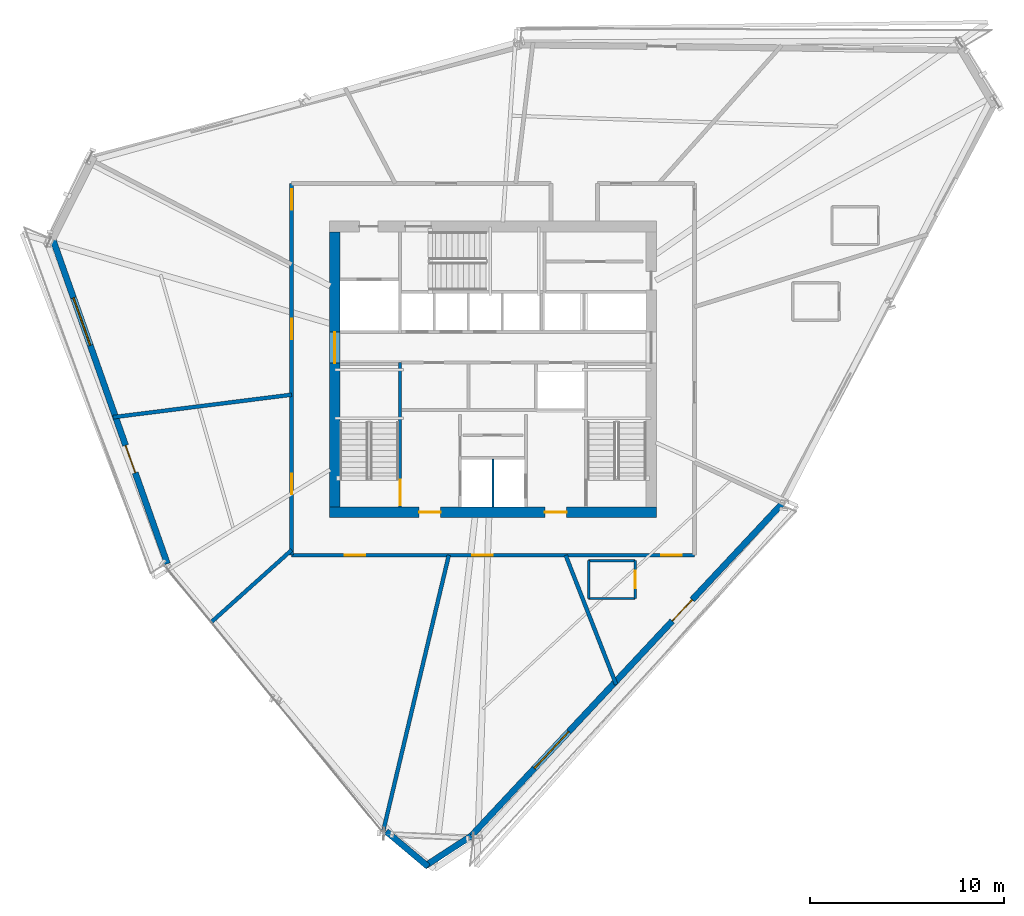
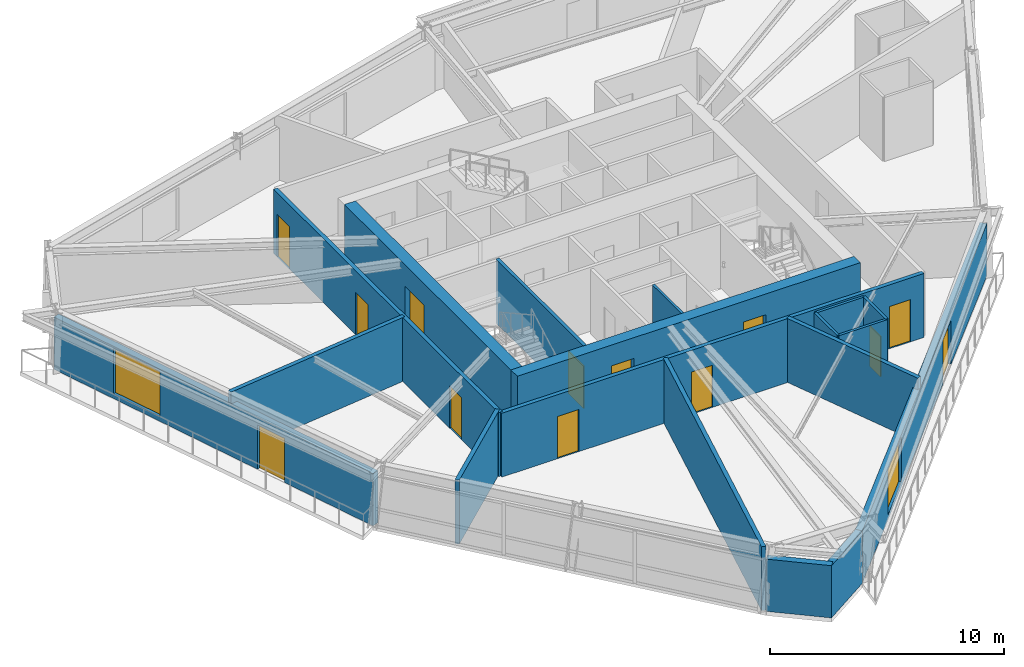
# One storey, part 9 of 15: 18 walls, 13 doors, 2 windows, 15 openings.
"""IFC4 building model written with IfcOpenShell, lengths in metres."""

import ifcopenshell
import ifcopenshell.guid

model = None  # the IFC model being written
_history = None  # IfcOwnerHistory: only IFC2X3 demands one
_inside = {}  # id of a spatial element -> (the spatial element, [elements in it])
_under = {}  # id of a project, library or spatial element -> (it, [spatial elements below it])
_declared = {}  # id of a project -> (the project, [libraries it declares])
_typed = {}  # id of a type object -> (the type object, [elements of that type])
_made_of = {}  # id of a material, layer set ... -> (it, [elements and type objects made of it])


def new_model(schema):
    """Start an empty IFC model of exactly this schema.

    Asked for "IFC4X3", IfcOpenShell would pick the latest addendum, in which some entities
    have other attributes; the version numbers below select the first issue.
    IFC2X3 requires an IfcOwnerHistory on every rooted entity: one is made here for all.
    """
    global model, _history
    if schema == "IFC4X3":
        model = ifcopenshell.file(schema_version=(4, 3, 0, 0))
    else:
        model = ifcopenshell.file(schema=schema)
    _inside.clear()
    _under.clear()
    _declared.clear()
    _typed.clear()
    _made_of.clear()
    _history = None
    if model.schema == "IFC2X3":
        org = make("IfcOrganization", Name="unknown")
        user = make(
            "IfcPersonAndOrganization",
            ThePerson=make("IfcPerson", FamilyName="unknown"),
            TheOrganization=org,
        )
        app = make(
            "IfcApplication",
            ApplicationDeveloper=org,
            Version="unknown",
            ApplicationFullName="unknown",
            ApplicationIdentifier="unknown",
        )
        _history = make(
            "IfcOwnerHistory",
            OwningUser=user,
            OwningApplication=app,
            ChangeAction="ADDED",
            CreationDate=0,
        )
    return model


def make(cls, **values):
    """One entity of the class cls with the attributes given. An attribute that is None is left unset."""
    return model.create_entity(
        cls, **{name: value for name, value in values.items() if value is not None}
    )


def rooted(cls, **values):
    """An entity with a GlobalId (a new one), such as an element, a storey or a relation."""
    return make(cls, GlobalId=ifcopenshell.guid.new(), OwnerHistory=_history, **values)


def si_unit(unit_type, name, prefix=None):
    """IfcSIUnit, for example si_unit("LENGTHUNIT", "METRE", prefix="MILLI")."""
    return make("IfcSIUnit", UnitType=unit_type, Prefix=prefix, Name=name)


def assignment(units):
    """IfcUnitAssignment: the units of a project."""
    return None if units is None else make("IfcUnitAssignment", Units=units)


def point(xyz):
    """IfcCartesianPoint."""
    return None if xyz is None else make("IfcCartesianPoint", Coordinates=xyz)


def direction(xyz):
    """IfcDirection."""
    return None if xyz is None else make("IfcDirection", DirectionRatios=xyz)


def frame(location, z_axis=None, x_axis=None):
    """IfcAxis2Placement3D, a coordinate frame: its origin and axes. An axis left out is left unset."""
    return make(
        "IfcAxis2Placement3D",
        Location=point(location),
        Axis=direction(z_axis),
        RefDirection=direction(x_axis),
    )


def frame_2d(location, x_axis=None):
    """IfcAxis2Placement2D, a coordinate frame in the plane: its origin and x axis."""
    return make(
        "IfcAxis2Placement2D", Location=point(location), RefDirection=direction(x_axis)
    )


def origin():
    """The frame at (0, 0, 0) with its axes left unset."""
    return frame((0.0, 0.0, 0.0))


def place(relative_to, where):
    """IfcLocalPlacement: puts the frame where relative to a parent placement (None: the world)."""
    return make(
        "IfcLocalPlacement", PlacementRelTo=relative_to, RelativePlacement=where
    )


def context(
    kind, dimensions, precision=None, world=None, true_north=None, identifier=None
):
    """IfcGeometricRepresentationContext, for example the 3D "Model" context."""
    return make(
        "IfcGeometricRepresentationContext",
        ContextIdentifier=identifier,
        ContextType=kind,
        CoordinateSpaceDimension=dimensions,
        Precision=precision,
        WorldCoordinateSystem=world,
        TrueNorth=true_north,
    )


def subcontext(parent, identifier, kind, view, scale=None):
    """IfcGeometricRepresentationSubContext, for example "Body" below "Model"."""
    return make(
        "IfcGeometricRepresentationSubContext",
        ContextIdentifier=identifier,
        ContextType=kind,
        ParentContext=parent,
        TargetScale=scale,
        TargetView=view,
    )


def project(units=None, contexts=None):
    """IfcProject with its units and contexts."""
    return rooted(
        "IfcProject",
        Name="project",
        RepresentationContexts=contexts,
        UnitsInContext=assignment(units),
    )


def spatial(cls, under=None, at=None, **own):
    """A site, building, storey or space (cls), placed at a placement, below another one or the project."""
    s = rooted(cls, ObjectPlacement=at, **own)
    if under is not None:
        _under.setdefault(under.id(), (under, []))[1].append(s)
    return s


def profile(cls, at=None, kind="AREA", **sizes):
    """A parametric profile (cls). Its sizes go by their IFC names, for example OverallWidth=200.0."""
    return make(cls, ProfileType=kind, Position=at, **sizes)


def rectangle(**sizes):
    """IfcRectangleProfileDef."""
    return profile("IfcRectangleProfileDef", **sizes)


def extrude(swept, where, along, depth):
    """IfcExtrudedAreaSolid: the profile swept, set in the frame where, extruded along a direction by depth."""
    return make(
        "IfcExtrudedAreaSolid",
        SweptArea=swept,
        Position=where,
        ExtrudedDirection=direction(along),
        Depth=depth,
    )


def shape(context_of_items, identifier, shape_type, items):
    """IfcShapeRepresentation: the items that make up one representation, for example the "Body"."""
    return make(
        "IfcShapeRepresentation",
        ContextOfItems=context_of_items,
        RepresentationIdentifier=identifier,
        RepresentationType=shape_type,
        Items=items,
    )


def source(mapping_origin, context_of_items, identifier, shape_type, items):
    """IfcRepresentationMap: a shape defined once, which mapped items show again and again."""
    return make(
        "IfcRepresentationMap",
        MappingOrigin=mapping_origin,
        MappedRepresentation=shape(context_of_items, identifier, shape_type, items),
    )


def transform(
    local_origin,
    x_axis=None,
    y_axis=None,
    z_axis=None,
    scale=None,
    scale2=None,
    scale3=None,
    uniform=True,
):
    """IfcCartesianTransformationOperator3D, or its non-uniform kind. x_axis, y_axis, z_axis: its Axis1, 2, 3."""
    if uniform:
        return make(
            "IfcCartesianTransformationOperator3D",
            Axis1=direction(x_axis),
            Axis2=direction(y_axis),
            LocalOrigin=point(local_origin),
            Scale=scale,
            Axis3=direction(z_axis),
        )
    return make(
        "IfcCartesianTransformationOperator3DnonUniform",
        Axis1=direction(x_axis),
        Axis2=direction(y_axis),
        LocalOrigin=point(local_origin),
        Scale=scale,
        Axis3=direction(z_axis),
        Scale2=scale2,
        Scale3=scale3,
    )


def mapped(mapping_source, mapping_target):
    """IfcMappedItem: shows the shape of a source again, moved by a transform."""
    return make(
        "IfcMappedItem", MappingSource=mapping_source, MappingTarget=mapping_target
    )


def material(Name=None, Category=None):
    """IfcMaterial."""
    return make("IfcMaterial", Name=Name, Category=Category)


def layer(
    of_material, thickness, ventilated=None, Name=None, Category=None, Priority=None
):
    """IfcMaterialLayer: one layer of a wall or slab, of a material (None: an air gap)."""
    return make(
        "IfcMaterialLayer",
        Material=of_material,
        LayerThickness=thickness,
        IsVentilated=ventilated,
        Name=Name,
        Category=Category,
        Priority=Priority,
    )


def layer_set(layers, Name=None):
    """IfcMaterialLayerSet."""
    return make("IfcMaterialLayerSet", MaterialLayers=layers, LayerSetName=Name)


def made_of(thing, what):
    """Note that an element or type object is made of a material, layer set ...; save() writes the relation."""
    if what is not None:
        _made_of.setdefault(what.id(), (what, []))[1].append(thing)
    return thing


def type_object(cls, material=None, **own):
    """A type object (cls), such as IfcWallType, which elements share."""
    return made_of(rooted(cls, **own), material)


def type_shapes(of_type, sources):
    """Give a type object the sources (RepresentationMaps) that its elements show as mapped items."""
    of_type.RepresentationMaps = sources


def element(
    cls,
    number,
    at=None,
    inside=None,
    cuts=None,
    type_object=None,
    material=None,
    context=None,
    identifier="Body",
    shape_type=None,
    held_by="IfcProductDefinitionShape",
    body=None,
    shapes=None,
    **own,
):
    """One element of the class cls, such as IfcWall. Its Tag is "e" and its number.

    at: its placement. inside: the storey or other place that contains it. cuts: it is an
    opening in that element (IfcRelVoidsElement). A single representation is given by context,
    identifier, shape_type and body (its items); several are given by shapes. held_by: the class
    of the entity that holds the representations. save() writes the other relations.
    """
    e = rooted(cls, Tag="e%d" % number, ObjectPlacement=at, **own)
    if body is not None:
        shapes = [shape(context, identifier, shape_type, body)]
    if shapes is not None:
        e.Representation = make(held_by, Representations=shapes)
    if inside is not None:
        _inside.setdefault(inside.id(), (inside, []))[1].append(e)
    if cuts is not None:
        rooted(
            "IfcRelVoidsElement", RelatingBuildingElement=cuts, RelatedOpeningElement=e
        )
    if type_object is not None:
        _typed.setdefault(type_object.id(), (type_object, []))[1].append(e)
    return made_of(e, material)


def fill(opening, filler):
    """IfcRelFillsElement: the door or window that sits in an opening."""
    return rooted(
        "IfcRelFillsElement",
        RelatingOpeningElement=opening,
        RelatedBuildingElement=filler,
    )


def aggregate(whole, parts):
    """IfcRelAggregates: a whole, such as a stair, and the parts it consists of."""
    return rooted("IfcRelAggregates", RelatingObject=whole, RelatedObjects=parts)


def save(model, path):
    """Write the relations noted so far, then the file.

    IfcRelAggregates (storeys below a building ...), IfcRelContainedInSpatialStructure (elements
    in a storey), IfcRelDefinesByType, IfcRelAssociatesMaterial and IfcRelDeclares: one each for
    every whole, place, type object, material and project.
    """
    for whole, parts in _under.values():
        aggregate(whole, parts)
    for where, things in _inside.values():
        rooted(
            "IfcRelContainedInSpatialStructure",
            RelatedElements=things,
            RelatingStructure=where,
        )
    for kind, things in _typed.values():
        rooted("IfcRelDefinesByType", RelatedObjects=things, RelatingType=kind)
    for what, things in _made_of.values():
        rooted("IfcRelAssociatesMaterial", RelatedObjects=things, RelatingMaterial=what)
    for by, libraries in _declared.values():
        rooted("IfcRelDeclares", RelatingContext=by, RelatedDefinitions=libraries)
    model.write(path)


model = new_model("IFC4")

# Units and contexts
model_context = context("Model", 3, precision=1e-05, world=origin(), true_north=direction((0.0, 1.0)))
body_context = subcontext(model_context, "Body", "Model", "MODEL_VIEW")
ifc_project = project(units=[si_unit("LENGTHUNIT", "METRE"), si_unit("AREAUNIT", "SQUARE_METRE"), si_unit("VOLUMEUNIT", "CUBIC_METRE"), si_unit("PLANEANGLEUNIT", "RADIAN"), si_unit("MASSUNIT", "GRAM", prefix="KILO")], contexts=[model_context])

# Site, building, storey
site_placement = place(None, origin())
site = spatial("IfcSite", under=ifc_project, at=site_placement, CompositionType="ELEMENT")
building_placement = place(site_placement, origin())
building = spatial("IfcBuilding", under=site, at=building_placement, Name="Olszyna Solenne Hotel", CompositionType="ELEMENT")
storey_placement = place(building_placement, frame((0.0, 0.0, 160.800048828125)))
storey = spatial("IfcBuildingStorey", under=building, at=storey_placement, Name="L42", CompositionType="ELEMENT", Elevation=160.800048828125)

# Wall, openings, doors
ifc_material_1 = material(Name="Concrete C50/60", Category="concrete")
ifc_layer_1 = layer(ifc_material_1, 0.550048828125, Name="Concrete C50/60")
ifc_layer_set_1 = layer_set([ifc_layer_1], Name="Concrete C50/60")
wall_type_1 = type_object("IfcWallType", Name="WL-CR550", PredefinedType="SHEAR", material=ifc_layer_set_1)
wall_1_placement = place(storey_placement, frame((46.449951171875, 19.22509765625, 0.0), z_axis=(0.0, 0.0, 1.0), x_axis=(-1.0, 0.0, 0.0)))
wall_1 = element("IfcWall", 1, at=wall_1_placement, inside=storey, type_object=wall_type_1, Name="Core shear wall WL-CR550 CRW-L42-S", PredefinedType="SHEAR", context=body_context, shape_type="SweptSolid", body=[
    extrude(rectangle(XDim=16.89990234375, YDim=0.550048828125, at=frame_2d((8.449951171875, 0.0))), origin(), (0.0, 0.0, 1.0), 3.329833984375),
])
opening_1_placement = place(wall_1_placement, frame((4.64990234375, 0.0, 0.0)))
opening_1 = element("IfcOpeningElement", 2, at=opening_1_placement, cuts=wall_1, Name="Opening FL-L42-1", PredefinedType="OPENING", context=body_context, shape_type="SweptSolid", body=[
    extrude(rectangle(XDim=1.1201171875, YDim=2.25, at=frame_2d((0.56005859375, 1.125))), frame((0.0, 0.28515625, 0.0), z_axis=(0.0, -1.0, 0.0), x_axis=(1.0, 0.0, 0.0)), (0.0, 0.0, 1.0), 0.570068359375),
])
opening_2_placement = place(wall_1_placement, frame((11.14990234375, 0.0, 0.0)))
opening_2 = element("IfcOpeningElement", 3, at=opening_2_placement, cuts=wall_1, Name="Opening FL-L42-2", PredefinedType="OPENING", context=body_context, shape_type="SweptSolid", body=[
    extrude(rectangle(XDim=1.1201171875, YDim=2.25, at=frame_2d((0.56005859375, 1.125))), frame((0.0, 0.28515625, 0.0), z_axis=(0.0, -1.0, 0.0), x_axis=(1.0, 0.0, 0.0)), (0.0, 0.0, 1.0), 0.570068359375),
])
ifc_material_2 = material(Name="Steel S355J2", Category="steel")
door_type_1 = type_object("IfcDoorType", Name="DR-FL1", OperationType="NOTDEFINED", PredefinedType="DOOR", material=ifc_material_2)
shared_shape_1 = source(origin(), body_context, "Body", "SweptSolid", [
    extrude(rectangle(XDim=1.1201171875, YDim=2.25, at=frame_2d((0.56005859375, 1.125))), frame((0.0, 0.02490234375, 0.0), z_axis=(0.0, -1.0, 0.0), x_axis=(1.0, 0.0, 0.0)), (0.0, 0.0, 1.0), 0.050048828125),
])
type_shapes(door_type_1, [shared_shape_1])
door_1_placement = place(opening_1_placement, origin())
door_1 = element("IfcDoor", 4, at=door_1_placement, inside=storey, type_object=door_type_1, Name="Firefighting lift lobby smoke door FL-L42-1", OperationType="SINGLE_SWING_LEFT", OverallHeight=2.25, OverallWidth=1.1201171875, PredefinedType="DOOR", context=body_context, shape_type="MappedRepresentation", body=[
    mapped(shared_shape_1, transform((0.0, 0.0, 0.0), x_axis=(1.0, 0.0, 0.0), y_axis=(0.0, 1.0, 0.0), z_axis=(0.0, 0.0, 1.0), scale=1.0)),
])
fill(opening_1, door_1)
door_2_placement = place(opening_2_placement, origin())
door_2 = element("IfcDoor", 5, at=door_2_placement, inside=storey, type_object=door_type_1, Name="Firefighting lift lobby smoke door FL-L42-2", OperationType="SINGLE_SWING_RIGHT", OverallHeight=2.25, OverallWidth=1.1201171875, PredefinedType="DOOR", context=body_context, shape_type="MappedRepresentation", body=[
    mapped(shared_shape_1, transform((0.0, 0.0, 0.0), x_axis=(1.0, 0.0, 0.0), y_axis=(0.0, 1.0, 0.0), z_axis=(0.0, 0.0, 1.0), scale=1.0)),
])
fill(opening_2, door_2)

# Wall, opening, door
wall_2_placement = place(storey_placement, frame((29.824951171875, 19.5, 0.0), z_axis=(0.0, 0.0, 1.0), x_axis=(0.0, 1.0, 0.0)))
wall_2 = element("IfcWall", 6, at=wall_2_placement, inside=storey, type_object=wall_type_1, Name="Core shear wall WL-CR550 CRW-L42-W", PredefinedType="SHEAR", context=body_context, shape_type="SweptSolid", body=[
    extrude(rectangle(XDim=14.199951171875, YDim=0.550048828125, at=frame_2d((7.10009765625, 0.0))), origin(), (0.0, 0.0, 1.0), 3.329833984375),
])
opening_3_placement = place(wall_2_placement, frame((7.419921875, 0.0, 0.0)))
opening_3 = element("IfcOpeningElement", 7, at=opening_3_placement, cuts=wall_2, Name="Opening LHD-L42-W", PredefinedType="OPENING", context=body_context, shape_type="SweptSolid", body=[
    extrude(rectangle(XDim=1.60009765625, YDim=2.199951171875, at=frame_2d((0.800048828125, 1.10009765625))), frame((0.0, 0.28515625, 0.0), z_axis=(0.0, -1.0, 0.0), x_axis=(1.0, 0.0, 0.0)), (0.0, 0.0, 1.0), 0.570068359375),
])
ifc_material_3 = material(Name="Timber hardwood", Category="wood")
door_type_2 = type_object("IfcDoorType", Name="DR-CR1", OperationType="DOUBLE_DOOR_SINGLE_SWING", PredefinedType="DOOR", material=ifc_material_3)
shared_shape_2 = source(origin(), body_context, "Body", "SweptSolid", [
    extrude(rectangle(XDim=1.60009765625, YDim=2.199951171875, at=frame_2d((0.800048828125, 1.10009765625))), frame((0.0, 0.02490234375, 0.0), z_axis=(0.0, -1.0, 0.0), x_axis=(1.0, 0.0, 0.0)), (0.0, 0.0, 1.0), 0.050048828125),
])
type_shapes(door_type_2, [shared_shape_2])
door_3_placement = place(opening_3_placement, origin())
door_3 = element("IfcDoor", 8, at=door_3_placement, inside=storey, type_object=door_type_2, Name="Passenger lift lobby West fire door LHD-L42-W", OperationType="DOUBLE_DOOR_SINGLE_SWING", OverallHeight=2.199951171875, OverallWidth=1.60009765625, PredefinedType="DOOR", context=body_context, shape_type="MappedRepresentation", body=[
    mapped(shared_shape_2, transform((0.0, 0.0, 0.0), x_axis=(1.0, 0.0, 0.0), y_axis=(0.0, 1.0, 0.0), z_axis=(0.0, 0.0, 1.0), scale=1.0)),
])
fill(opening_3, door_3)

# Wall, openings, door, window
ifc_material_4 = material(Name="Precast concrete C45/55", Category="concrete")
ifc_layer_2 = layer(ifc_material_4, 0.320068359375, Name="Precast concrete C45/55")
ifc_layer_set_2 = layer_set([ifc_layer_2], Name="Precast concrete C45/55")
wall_type_2 = type_object("IfcWallType", Name="WL-EX320", PredefinedType="SOLIDWALL", material=ifc_layer_set_2)
wall_3_placement = place(storey_placement, frame((52.910400390625, 19.644775390625, 0.0), z_axis=(0.0, 0.0, 1.0), x_axis=(-0.683193045934, -0.730237811941, 0.0)))
wall_3 = element("IfcWall", 9, at=wall_3_placement, inside=storey, type_object=wall_type_2, Name="Exterior terracotta-precast frame wall WL-EX320 EW-L42-01", PredefinedType="SOLIDWALL", context=body_context, shape_type="SweptSolid", body=[
    extrude(rectangle(XDim=23.50341796875, YDim=0.320068359375, at=frame_2d((11.751708984375, 0.0))), origin(), (0.0, 0.0, 1.0), 2.721923828125),
])
opening_4_placement = place(wall_3_placement, frame((6.77099609375, 0.0, 0.0)))
opening_4 = element("IfcOpeningElement", 10, at=opening_4_placement, cuts=wall_3, Name="Opening LDG-L42-3", PredefinedType="OPENING", context=body_context, shape_type="SweptSolid", body=[
    extrude(rectangle(XDim=1.5, YDim=2.300048828125, at=frame_2d((0.75, 1.14990234375))), frame((0.0, 0.169921875, 0.0), z_axis=(0.0, -1.0, 0.0), x_axis=(1.0, 0.0, 0.0)), (0.0, 0.0, 1.0), 0.340087890625),
])
opening_5_placement = place(wall_3_placement, frame((16.093017578125, 0.0, 0.251953125)))
opening_5 = element("IfcOpeningElement", 11, at=opening_5_placement, cuts=wall_3, Name="Opening WN-L42-255", PredefinedType="OPENING", context=body_context, shape_type="SweptSolid", body=[
    extrude(rectangle(XDim=2.60009765625, YDim=2.35009765625, at=frame_2d((1.300048828125, 1.175048828125))), frame((0.0, 0.169921875, 0.0), z_axis=(0.0, -1.0, 0.0), x_axis=(1.0, 0.0, 0.0)), (0.0, 0.0, 1.0), 0.340087890625),
])
ifc_material_5 = material(Name="Anodised bronze aluminium", Category="aluminium")
door_type_3 = type_object("IfcDoorType", Name="DR-LG2", OperationType="DOUBLE_DOOR_SINGLE_SWING", PredefinedType="DOOR", material=ifc_material_5)
shared_shape_3 = source(origin(), body_context, "Body", "SweptSolid", [
    extrude(rectangle(XDim=1.5, YDim=2.300048828125, at=frame_2d((0.75, 1.14990234375))), frame((0.0, 0.02490234375, 0.0), z_axis=(0.0, -1.0, 0.0), x_axis=(1.0, 0.0, 0.0)), (0.0, 0.0, 1.0), 0.050048828125),
])
type_shapes(door_type_3, [shared_shape_3])
door_4_placement = place(opening_4_placement, origin())
door_4 = element("IfcDoor", 12, at=door_4_placement, inside=storey, type_object=door_type_3, Name="Exterior loggia balcony door DR-LG2 LDG-L42-3", OperationType="DOUBLE_DOOR_SINGLE_SWING", OverallHeight=2.300048828125, OverallWidth=1.5, PredefinedType="DOOR", context=body_context, shape_type="MappedRepresentation", body=[
    mapped(shared_shape_3, transform((0.0, 0.0, 0.0), x_axis=(1.0, 0.0, 0.0), y_axis=(0.0, 1.0, 0.0), z_axis=(0.0, 0.0, 1.0), scale=1.0)),
])
fill(opening_4, door_4)
ifc_material_6 = material(Name="Low-E triple glazing", Category="glass")
window_type = type_object("IfcWindowType", Name="WN-ST1", PartitioningType="SINGLE_PANEL", PredefinedType="WINDOW", material=ifc_material_6)
shared_shape_4 = source(origin(), body_context, "Body", "SweptSolid", [
    extrude(rectangle(XDim=2.60009765625, YDim=2.35009765625, at=frame_2d((1.300048828125, 1.175048828125))), frame((0.0, 0.030029296875, 0.0), z_axis=(0.0, -1.0, 0.0), x_axis=(1.0, 0.0, 0.0)), (0.0, 0.0, 1.0), 0.06005859375),
])
type_shapes(window_type, [shared_shape_4])
window_1_placement = place(opening_5_placement, origin())
window_1 = element("IfcWindow", 13, at=window_1_placement, inside=storey, type_object=window_type, Name="Loggia room window WN-ST1 WN-L42-255", OverallHeight=2.35009765625, OverallWidth=2.60009765625, PartitioningType="SINGLE_PANEL", PredefinedType="WINDOW", context=body_context, shape_type="MappedRepresentation", body=[
    mapped(shared_shape_4, transform((0.0, 0.0, 0.0), x_axis=(1.0, 0.0, 0.0), y_axis=(0.0, 1.0, 0.0), z_axis=(0.0, 0.0, 1.0), scale=1.0)),
])
fill(opening_5, window_1)

# Walls
wall_4_placement = place(storey_placement, frame((36.8828125, 2.506591796875, 0.0), z_axis=(0.0, 0.0, 1.0), x_axis=(-0.838789143282, -0.544456401479, 0.0)))
element("IfcWall", 14, at=wall_4_placement, inside=storey, type_object=wall_type_2, Name="Exterior terracotta-precast frame wall WL-EX320 EW-L42-02", PredefinedType="SOLIDWALL", context=body_context, shape_type="SweptSolid", body=[
    extrude(rectangle(XDim=2.88818359375, YDim=0.320068359375, at=frame_2d((1.444091796875, 0.0))), origin(), (0.0, 0.0, 1.0), 2.721923828125),
])
wall_5_placement = place(storey_placement, frame((34.650146484375, 0.922607421875, 0.0), z_axis=(0.0, 0.0, 1.0), x_axis=(-0.765827147602, 0.643046483542, 0.0)))
element("IfcWall", 15, at=wall_5_placement, inside=storey, type_object=wall_type_2, Name="Exterior terracotta-precast frame wall WL-EX320 EW-L42-03", PredefinedType="SOLIDWALL", context=body_context, shape_type="SweptSolid", body=[
    extrude(rectangle(XDim=2.83154296875, YDim=0.320068359375, at=frame_2d((1.415771484375, 0.0))), origin(), (0.0, 0.0, 1.0), 2.721923828125),
])

# Wall, openings, door, window
wall_6_placement = place(storey_placement, frame((21.18408203125, 16.554931640625, 0.0), z_axis=(0.0, 0.0, 1.0), x_axis=(-0.332843624825, 0.942982036634, 0.0)))
wall_6 = element("IfcWall", 16, at=wall_6_placement, inside=storey, type_object=wall_type_2, Name="Exterior terracotta-precast frame wall WL-EX320 EW-L42-05", PredefinedType="SOLIDWALL", context=body_context, shape_type="SweptSolid", body=[
    extrude(rectangle(XDim=17.927490234375, YDim=0.320068359375, at=frame_2d((8.9638671875, 0.0))), origin(), (0.0, 0.0, 1.0), 2.721923828125),
])
opening_6_placement = place(wall_6_placement, frame((4.987060546875, 0.0, 0.0)))
opening_6 = element("IfcOpeningElement", 17, at=opening_6_placement, cuts=wall_6, Name="Opening LDG-L42-2", PredefinedType="OPENING", context=body_context, shape_type="SweptSolid", body=[
    extrude(rectangle(XDim=1.5, YDim=2.300048828125, at=frame_2d((0.75, 1.14990234375))), frame((0.0, 0.169921875, 0.0), z_axis=(0.0, -1.0, 0.0), x_axis=(1.0, 0.0, 0.0)), (0.0, 0.0, 1.0), 0.340087890625),
])
opening_7_placement = place(wall_6_placement, frame((11.966064453125, 0.0, 0.251953125)))
opening_7 = element("IfcOpeningElement", 18, at=opening_7_placement, cuts=wall_6, Name="Opening WN-L42-256", PredefinedType="OPENING", context=body_context, shape_type="SweptSolid", body=[
    extrude(rectangle(XDim=2.60009765625, YDim=2.35009765625, at=frame_2d((1.300048828125, 1.175048828125))), frame((0.0, 0.169921875, 0.0), z_axis=(0.0, -1.0, 0.0), x_axis=(1.0, 0.0, 0.0)), (0.0, 0.0, 1.0), 0.340087890625),
])
door_5_placement = place(opening_6_placement, origin())
door_5 = element("IfcDoor", 19, at=door_5_placement, inside=storey, type_object=door_type_3, Name="Exterior loggia balcony door DR-LG2 LDG-L42-2", OperationType="DOUBLE_DOOR_SINGLE_SWING", OverallHeight=2.300048828125, OverallWidth=1.5, PredefinedType="DOOR", context=body_context, shape_type="MappedRepresentation", body=[
    mapped(shared_shape_3, transform((0.0, 0.0, 0.0), x_axis=(1.0, 0.0, 0.0), y_axis=(0.0, 1.0, 0.0), z_axis=(0.0, 0.0, 1.0), scale=1.0)),
])
fill(opening_6, door_5)
window_2_placement = place(opening_7_placement, origin())
window_2 = element("IfcWindow", 20, at=window_2_placement, inside=storey, type_object=window_type, Name="Loggia room window WN-ST1 WN-L42-256", OverallHeight=2.35009765625, OverallWidth=2.60009765625, PartitioningType="SINGLE_PANEL", PredefinedType="WINDOW", context=body_context, shape_type="MappedRepresentation", body=[
    mapped(shared_shape_4, transform((0.0, 0.0, 0.0), x_axis=(1.0, 0.0, 0.0), y_axis=(0.0, 1.0, 0.0), z_axis=(0.0, 0.0, 1.0), scale=1.0)),
])
fill(opening_7, window_2)

# Wall
ifc_material_7 = material(Name="Acoustic gypsum partition", Category="gypsum")
ifc_layer_3 = layer(ifc_material_7, 0.125, Name="Acoustic gypsum partition")
ifc_layer_set_3 = layer_set([ifc_layer_3], Name="Acoustic gypsum partition")
wall_type_3 = type_object("IfcWallType", Name="WL-PT125", PredefinedType="PARTITIONING", material=ifc_layer_set_3)
wall_7_placement = place(storey_placement, frame((38.0, 19.5, 0.0), z_axis=(0.0, 0.0, 1.0), x_axis=(0.0, 1.0, 0.0)))
element("IfcWall", 21, at=wall_7_placement, inside=storey, type_object=wall_type_3, Name="Core shaft compartment wall CW-L42-FFM", PredefinedType="PARTITIONING", context=body_context, shape_type="SweptSolid", body=[
    extrude(rectangle(XDim=2.4599609375, YDim=0.125, at=frame_2d((1.22998046875, 0.0))), origin(), (0.0, 0.0, 1.0), 3.329833984375),
])

# Wall, opening, door
wall_8_placement = place(storey_placement, frame((45.340087890625, 14.76708984375, 0.0), z_axis=(0.0, 0.0, 1.0), x_axis=(0.0, 1.0, 0.0)))
wall_8 = element("IfcWall", 22, at=wall_8_placement, inside=storey, type_object=wall_type_3, Name="Interior acoustic partition WL-PT125 PW-L42-2374", PredefinedType="PARTITIONING", context=body_context, shape_type="SweptSolid", body=[
    extrude(rectangle(XDim=1.949951171875, YDim=0.125, at=frame_2d((0.97509765625, 0.0))), origin(), (0.0, 0.0, 1.0), 3.329833984375),
])
opening_8_placement = place(wall_8_placement, frame((0.52490234375, 0.0, 0.0)))
opening_8 = element("IfcOpeningElement", 23, at=opening_8_placement, cuts=wall_8, Name="Opening DR-L42-0570", PredefinedType="OPENING", context=body_context, shape_type="SweptSolid", body=[
    extrude(rectangle(XDim=0.89990234375, YDim=2.10009765625, at=frame_2d((0.449951171875, 1.050048828125))), frame((0.0, 0.072509765625, 0.0), z_axis=(0.0, -1.0, 0.0), x_axis=(1.0, 0.0, 0.0)), (0.0, 0.0, 1.0), 0.14501953125),
])
door_type_4 = type_object("IfcDoorType", Name="DR-WC1", OperationType="NOTDEFINED", PredefinedType="DOOR", material=ifc_material_3)
shared_shape_5 = source(origin(), body_context, "Body", "SweptSolid", [
    extrude(rectangle(XDim=0.89990234375, YDim=2.10009765625, at=frame_2d((0.449951171875, 1.050048828125))), frame((0.0, 0.02490234375, 0.0), z_axis=(0.0, -1.0, 0.0), x_axis=(1.0, 0.0, 0.0)), (0.0, 0.0, 1.0), 0.050048828125),
])
type_shapes(door_type_4, [shared_shape_5])
door_6_placement = place(opening_8_placement, origin())
door_6 = element("IfcDoor", 24, at=door_6_placement, inside=storey, type_object=door_type_4, Name="En-Suite Bathroom Door DR-L42-0570", OperationType="SINGLE_SWING_LEFT", OverallHeight=2.10009765625, OverallWidth=0.89990234375, PredefinedType="DOOR", context=body_context, shape_type="MappedRepresentation", body=[
    mapped(shared_shape_5, transform((0.0, 0.0, 0.0), x_axis=(1.0, 0.0, 0.0), y_axis=(0.0, 1.0, 0.0), z_axis=(0.0, 0.0, 1.0), scale=1.0)),
])
fill(opening_8, door_6)

# Walls
wall_9_placement = place(storey_placement, frame((45.340087890625, 16.717041015625, 0.0), z_axis=(0.0, 0.0, 1.0), x_axis=(-1.0, 0.0, 0.0)))
element("IfcWall", 25, at=wall_9_placement, inside=storey, type_object=wall_type_3, Name="Interior acoustic partition WL-PT125 PW-L42-2375", PredefinedType="PARTITIONING", context=body_context, shape_type="SweptSolid", body=[
    extrude(rectangle(XDim=2.400146484375, YDim=0.125, at=frame_2d((1.2001953125, 0.0))), origin(), (0.0, 0.0, 1.0), 3.329833984375),
])
wall_10_placement = place(storey_placement, frame((42.93994140625, 16.717041015625, 0.0), z_axis=(0.0, 0.0, 1.0), x_axis=(0.0, -1.0, 0.0)))
element("IfcWall", 26, at=wall_10_placement, inside=storey, type_object=wall_type_3, Name="Interior acoustic partition WL-PT125 PW-L42-2376", PredefinedType="PARTITIONING", context=body_context, shape_type="SweptSolid", body=[
    extrude(rectangle(XDim=1.949951171875, YDim=0.125, at=frame_2d((0.97509765625, 0.0))), origin(), (0.0, 0.0, 1.0), 3.329833984375),
])
wall_11_placement = place(storey_placement, frame((42.93994140625, 14.76708984375, 0.0), z_axis=(0.0, 0.0, 1.0), x_axis=(1.0, 0.0, 0.0)))
element("IfcWall", 27, at=wall_11_placement, inside=storey, type_object=wall_type_3, Name="Interior acoustic partition WL-PT125 PW-L42-2377", PredefinedType="PARTITIONING", context=body_context, shape_type="SweptSolid", body=[
    extrude(rectangle(XDim=2.400146484375, YDim=0.125, at=frame_2d((1.2001953125, 0.0))), origin(), (0.0, 0.0, 1.0), 3.329833984375),
])

# Wall, opening, door
ifc_layer_4 = layer(ifc_material_7, 0.159912109375, Name="Acoustic gypsum partition")
ifc_layer_set_4 = layer_set([ifc_layer_4], Name="Acoustic gypsum partition")
wall_type_4 = type_object("IfcWallType", Name="WL-PT160", PredefinedType="PARTITIONING", material=ifc_layer_set_4)
wall_12_placement = place(storey_placement, frame((33.199951171875, 19.5, 0.0), z_axis=(0.0, 0.0, 1.0), x_axis=(0.0, 1.0, 0.0)))
wall_12 = element("IfcWall", 28, at=wall_12_placement, inside=storey, type_object=wall_type_4, Name="Core shaft compartment wall CW-L42-ST1E", PredefinedType="PARTITIONING", context=body_context, shape_type="SweptSolid", body=[
    extrude(rectangle(XDim=7.4599609375, YDim=0.159912109375, at=frame_2d((3.72998046875, 0.0))), origin(), (0.0, 0.0, 1.0), 3.329833984375),
])
opening_9_placement = place(wall_12_placement, frame((0.080078125, 0.0, 0.0)))
opening_9 = element("IfcOpeningElement", 29, at=opening_9_placement, cuts=wall_12, Name="Opening STD-L42-01", PredefinedType="OPENING", context=body_context, shape_type="SweptSolid", body=[
    extrude(rectangle(XDim=1.320068359375, YDim=2.199951171875, at=frame_2d((0.66015625, 1.10009765625))), frame((0.0, 0.08984375, 0.0), z_axis=(0.0, -1.0, 0.0), x_axis=(1.0, 0.0, 0.0)), (0.0, 0.0, 1.0), 0.179931640625),
])
door_type_5 = type_object("IfcDoorType", Name="DR-ST1", OperationType="NOTDEFINED", PredefinedType="DOOR", material=ifc_material_2)
shared_shape_6 = source(origin(), body_context, "Body", "SweptSolid", [
    extrude(rectangle(XDim=1.320068359375, YDim=2.199951171875, at=frame_2d((0.66015625, 1.10009765625))), frame((0.0, 0.02490234375, 0.0), z_axis=(0.0, -1.0, 0.0), x_axis=(1.0, 0.0, 0.0)), (0.0, 0.0, 1.0), 0.050048828125),
])
type_shapes(door_type_5, [shared_shape_6])
door_7_placement = place(opening_9_placement, origin())
door_7 = element("IfcDoor", 30, at=door_7_placement, inside=storey, type_object=door_type_5, Name="Pressurised exit stair ST1 fire door STD-L42-01", OperationType="SINGLE_SWING_LEFT", OverallHeight=2.199951171875, OverallWidth=1.320068359375, PredefinedType="DOOR", context=body_context, shape_type="MappedRepresentation", body=[
    mapped(shared_shape_6, transform((0.0, 0.0, 0.0), x_axis=(1.0, 0.0, 0.0), y_axis=(0.0, 1.0, 0.0), z_axis=(0.0, 0.0, 1.0), scale=1.0)),
])
fill(opening_9, door_7)

# Walls
ifc_layer_5 = layer(ifc_material_7, 0.199951171875, Name="Acoustic gypsum partition")
ifc_layer_set_5 = layer_set([ifc_layer_5], Name="Acoustic gypsum partition")
wall_type_5 = type_object("IfcWallType", Name="WL-PT200", PredefinedType="PARTITIONING", material=ifc_layer_set_5)
wall_13_placement = place(storey_placement, frame((27.60009765625, 25.289306640625, 0.0), z_axis=(0.0, 0.0, 1.0), x_axis=(-0.992150939971, -0.125046040779, 0.0)))
element("IfcWall", 31, at=wall_13_placement, inside=storey, type_object=wall_type_5, Name="Interior acoustic partition WL-PT200 PW-L42-2368", PredefinedType="PARTITIONING", context=body_context, shape_type="SweptSolid", body=[
    extrude(rectangle(XDim=9.29931640625, YDim=0.199951171875, at=frame_2d((4.649658203125, 0.0))), origin(), (0.0, 0.0, 1.0), 3.329833984375),
])
wall_14_placement = place(storey_placement, frame((27.60009765625, 17.267333984375, 0.0), z_axis=(0.0, 0.0, 1.0), x_axis=(-0.744269781278, -0.667879100344, 0.0)))
element("IfcWall", 32, at=wall_14_placement, inside=storey, type_object=wall_type_5, Name="Interior acoustic partition WL-PT200 PW-L42-2369", PredefinedType="PARTITIONING", context=body_context, shape_type="SweptSolid", body=[
    extrude(rectangle(XDim=5.544921875, YDim=0.199951171875, at=frame_2d((2.7724609375, 0.0))), origin(), (0.0, 0.0, 1.0), 3.329833984375),
])
wall_15_placement = place(storey_placement, frame((35.71728515625, 17.0, 0.0), z_axis=(0.0, 0.0, 1.0), x_axis=(-0.231323404058, -0.972876910372, 0.0)))
element("IfcWall", 33, at=wall_15_placement, inside=storey, type_object=wall_type_5, Name="Interior acoustic partition WL-PT200 PW-L42-2370", PredefinedType="PARTITIONING", context=body_context, shape_type="SweptSolid", body=[
    extrude(rectangle(XDim=14.663818359375, YDim=0.199951171875, at=frame_2d((7.33203125, 0.0))), origin(), (0.0, 0.0, 1.0), 3.329833984375),
])
wall_16_placement = place(storey_placement, frame((41.751708984375, 17.0, 0.0), z_axis=(0.0, 0.0, 1.0), x_axis=(0.36397970516, -0.931406878991, 0.0)))
element("IfcWall", 34, at=wall_16_placement, inside=storey, type_object=wall_type_5, Name="Interior acoustic partition WL-PT200 PW-L42-2371", PredefinedType="PARTITIONING", context=body_context, shape_type="SweptSolid", body=[
    extrude(rectangle(XDim=7.173828125, YDim=0.199951171875, at=frame_2d((3.5869140625, 0.0))), origin(), (0.0, 0.0, 1.0), 3.329833984375),
])

# Wall, openings, doors
wall_17_placement = place(storey_placement, frame((27.60009765625, 17.0, 0.0), z_axis=(0.0, 0.0, 1.0), x_axis=(1.0, 0.0, 0.0)))
wall_17 = element("IfcWall", 35, at=wall_17_placement, inside=storey, type_object=wall_type_5, Name="Interior acoustic partition WL-PT200 PW-L42-2386", PredefinedType="PARTITIONING", context=body_context, shape_type="SweptSolid", body=[
    extrude(rectangle(XDim=20.7998046875, YDim=0.199951171875, at=frame_2d((10.39990234375, 0.0))), origin(), (0.0, 0.0, 1.0), 3.329833984375),
])
opening_10_placement = place(wall_17_placement, frame((2.74609375, 0.0, 0.0)))
opening_10 = element("IfcOpeningElement", 36, at=opening_10_placement, cuts=wall_17, Name="Opening DR-L42-0573", PredefinedType="OPENING", context=body_context, shape_type="SweptSolid", body=[
    extrude(rectangle(XDim=1.050048828125, YDim=2.199951171875, at=frame_2d((0.52490234375, 1.10009765625))), frame((0.0, 0.10986328125, 0.0), z_axis=(0.0, -1.0, 0.0), x_axis=(1.0, 0.0, 0.0)), (0.0, 0.0, 1.0), 0.219970703125),
])
opening_11_placement = place(wall_17_placement, frame((9.339111328125, 0.0, 0.0)))
opening_11 = element("IfcOpeningElement", 37, at=opening_11_placement, cuts=wall_17, Name="Opening DR-L42-0574", PredefinedType="OPENING", context=body_context, shape_type="SweptSolid", body=[
    extrude(rectangle(XDim=1.050048828125, YDim=2.199951171875, at=frame_2d((0.52490234375, 1.10009765625))), frame((0.0, 0.10986328125, 0.0), z_axis=(0.0, -1.0, 0.0), x_axis=(1.0, 0.0, 0.0)), (0.0, 0.0, 1.0), 0.219970703125),
])
opening_12_placement = place(wall_17_placement, frame((19.091064453125, 0.0, 0.0)))
opening_12 = element("IfcOpeningElement", 38, at=opening_12_placement, cuts=wall_17, Name="Opening DR-L42-0575", PredefinedType="OPENING", context=body_context, shape_type="SweptSolid", body=[
    extrude(rectangle(XDim=1.050048828125, YDim=2.199951171875, at=frame_2d((0.52490234375, 1.10009765625))), frame((0.0, 0.10986328125, 0.0), z_axis=(0.0, -1.0, 0.0), x_axis=(1.0, 0.0, 0.0)), (0.0, 0.0, 1.0), 0.219970703125),
])
door_type_6 = type_object("IfcDoorType", Name="DR-RM2", OperationType="NOTDEFINED", PredefinedType="DOOR", material=ifc_material_3)
shared_shape_7 = source(origin(), body_context, "Body", "SweptSolid", [
    extrude(rectangle(XDim=1.050048828125, YDim=2.199951171875, at=frame_2d((0.52490234375, 1.10009765625))), frame((0.0, 0.02490234375, 0.0), z_axis=(0.0, -1.0, 0.0), x_axis=(1.0, 0.0, 0.0)), (0.0, 0.0, 1.0), 0.050048828125),
])
type_shapes(door_type_6, [shared_shape_7])
door_8_placement = place(opening_10_placement, origin())
door_8 = element("IfcDoor", 39, at=door_8_placement, inside=storey, type_object=door_type_6, Name="Private Business Office Entrance Door DR-L42-0573", OperationType="SINGLE_SWING_RIGHT", OverallHeight=2.199951171875, OverallWidth=1.050048828125, PredefinedType="DOOR", context=body_context, shape_type="MappedRepresentation", body=[
    mapped(shared_shape_7, transform((0.0, 0.0, 0.0), x_axis=(1.0, 0.0, 0.0), y_axis=(0.0, 1.0, 0.0), z_axis=(0.0, 0.0, 1.0), scale=1.0)),
])
fill(opening_10, door_8)
door_9_placement = place(opening_11_placement, origin())
door_9 = element("IfcDoor", 40, at=door_9_placement, inside=storey, type_object=door_type_6, Name="Private Business Office Entrance Door DR-L42-0574", OperationType="SINGLE_SWING_LEFT", OverallHeight=2.199951171875, OverallWidth=1.050048828125, PredefinedType="DOOR", context=body_context, shape_type="MappedRepresentation", body=[
    mapped(shared_shape_7, transform((0.0, 0.0, 0.0), x_axis=(1.0, 0.0, 0.0), y_axis=(0.0, 1.0, 0.0), z_axis=(0.0, 0.0, 1.0), scale=1.0)),
])
fill(opening_11, door_9)
door_10_placement = place(opening_12_placement, origin())
door_10 = element("IfcDoor", 41, at=door_10_placement, inside=storey, type_object=door_type_6, Name="Deluxe Hotel Guestroom Entrance Door DR-L42-0575", OperationType="SINGLE_SWING_RIGHT", OverallHeight=2.199951171875, OverallWidth=1.050048828125, PredefinedType="DOOR", context=body_context, shape_type="MappedRepresentation", body=[
    mapped(shared_shape_7, transform((0.0, 0.0, 0.0), x_axis=(1.0, 0.0, 0.0), y_axis=(0.0, 1.0, 0.0), z_axis=(0.0, 0.0, 1.0), scale=1.0)),
])
fill(opening_12, door_10)

wall_18_placement = place(storey_placement, frame((27.60009765625, 17.0, 0.0), z_axis=(0.0, 0.0, 1.0), x_axis=(0.0, 1.0, 0.0)))
wall_18 = element("IfcWall", 42, at=wall_18_placement, inside=storey, type_object=wall_type_5, Name="Interior acoustic partition WL-PT200 PW-L42-2387", PredefinedType="PARTITIONING", context=body_context, shape_type="SweptSolid", body=[
    extrude(rectangle(XDim=19.199951171875, YDim=0.199951171875, at=frame_2d((9.60009765625, 0.0))), origin(), (0.0, 0.0, 1.0), 3.329833984375),
])
opening_13_placement = place(wall_18_placement, frame((17.85009765625, 0.0, 0.0)))
opening_13 = element("IfcOpeningElement", 43, at=opening_13_placement, cuts=wall_18, Name="Opening DR-L42-0576", PredefinedType="OPENING", context=body_context, shape_type="SweptSolid", body=[
    extrude(rectangle(XDim=1.050048828125, YDim=2.199951171875, at=frame_2d((0.52490234375, 1.10009765625))), frame((0.0, 0.10986328125, 0.0), z_axis=(0.0, -1.0, 0.0), x_axis=(1.0, 0.0, 0.0)), (0.0, 0.0, 1.0), 0.219970703125),
])
opening_14_placement = place(wall_18_placement, frame((11.15087890625, 0.0, 0.0)))
opening_14 = element("IfcOpeningElement", 44, at=opening_14_placement, cuts=wall_18, Name="Opening DR-L42-0577", PredefinedType="OPENING", context=body_context, shape_type="SweptSolid", body=[
    extrude(rectangle(XDim=1.050048828125, YDim=2.199951171875, at=frame_2d((0.52490234375, 1.10009765625))), frame((0.0, 0.10986328125, 0.0), z_axis=(0.0, -1.0, 0.0), x_axis=(1.0, 0.0, 0.0)), (0.0, 0.0, 1.0), 0.219970703125),
])
opening_15_placement = place(wall_18_placement, frame((3.14697265625, 0.0, 0.0)))
opening_15 = element("IfcOpeningElement", 45, at=opening_15_placement, cuts=wall_18, Name="Opening DR-L42-0578", PredefinedType="OPENING", context=body_context, shape_type="SweptSolid", body=[
    extrude(rectangle(XDim=1.050048828125, YDim=2.199951171875, at=frame_2d((0.52490234375, 1.10009765625))), frame((0.0, 0.10986328125, 0.0), z_axis=(0.0, -1.0, 0.0), x_axis=(1.0, 0.0, 0.0)), (0.0, 0.0, 1.0), 0.219970703125),
])
door_11_placement = place(opening_13_placement, origin())
door_11 = element("IfcDoor", 46, at=door_11_placement, inside=storey, type_object=door_type_6, Name="Private Business Office Entrance Door DR-L42-0576", OperationType="SINGLE_SWING_LEFT", OverallHeight=2.199951171875, OverallWidth=1.050048828125, PredefinedType="DOOR", context=body_context, shape_type="MappedRepresentation", body=[
    mapped(shared_shape_7, transform((0.0, 0.0, 0.0), x_axis=(1.0, 0.0, 0.0), y_axis=(0.0, 1.0, 0.0), z_axis=(0.0, 0.0, 1.0), scale=1.0)),
])
fill(opening_13, door_11)
door_12_placement = place(opening_14_placement, origin())
door_12 = element("IfcDoor", 47, at=door_12_placement, inside=storey, type_object=door_type_6, Name="Private Business Office Entrance Door DR-L42-0577", OperationType="SINGLE_SWING_RIGHT", OverallHeight=2.199951171875, OverallWidth=1.050048828125, PredefinedType="DOOR", context=body_context, shape_type="MappedRepresentation", body=[
    mapped(shared_shape_7, transform((0.0, 0.0, 0.0), x_axis=(1.0, 0.0, 0.0), y_axis=(0.0, 1.0, 0.0), z_axis=(0.0, 0.0, 1.0), scale=1.0)),
])
fill(opening_14, door_12)
door_13_placement = place(opening_15_placement, origin())
door_13 = element("IfcDoor", 48, at=door_13_placement, inside=storey, type_object=door_type_6, Name="Private Business Office Entrance Door DR-L42-0578", OperationType="SINGLE_SWING_LEFT", OverallHeight=2.199951171875, OverallWidth=1.050048828125, PredefinedType="DOOR", context=body_context, shape_type="MappedRepresentation", body=[
    mapped(shared_shape_7, transform((0.0, 0.0, 0.0), x_axis=(1.0, 0.0, 0.0), y_axis=(0.0, 1.0, 0.0), z_axis=(0.0, 0.0, 1.0), scale=1.0)),
])
fill(opening_15, door_13)

save(model, "model.ifc")
